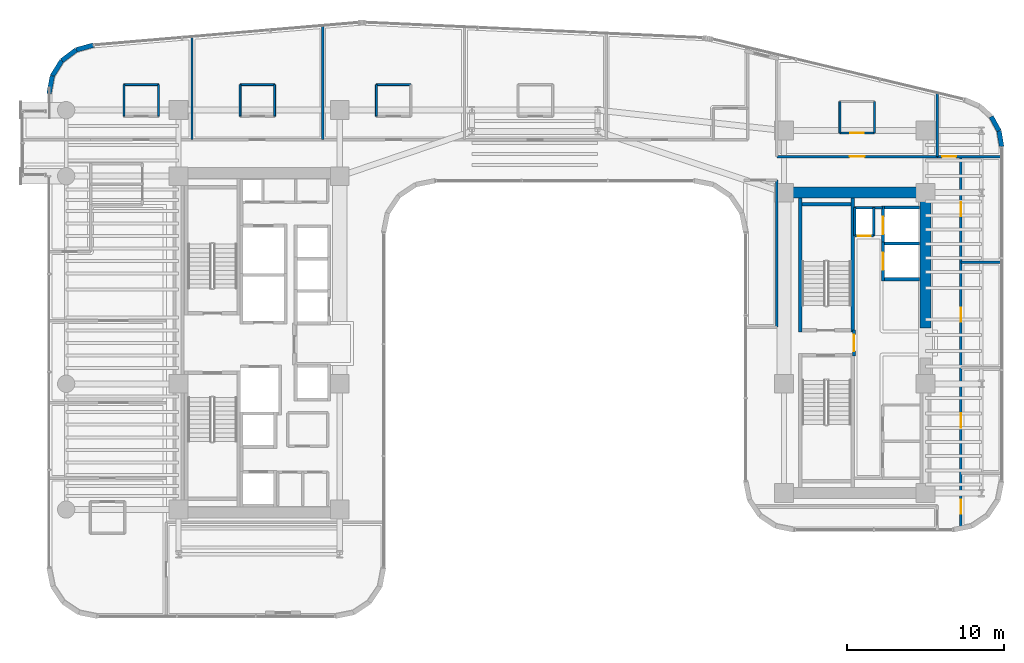
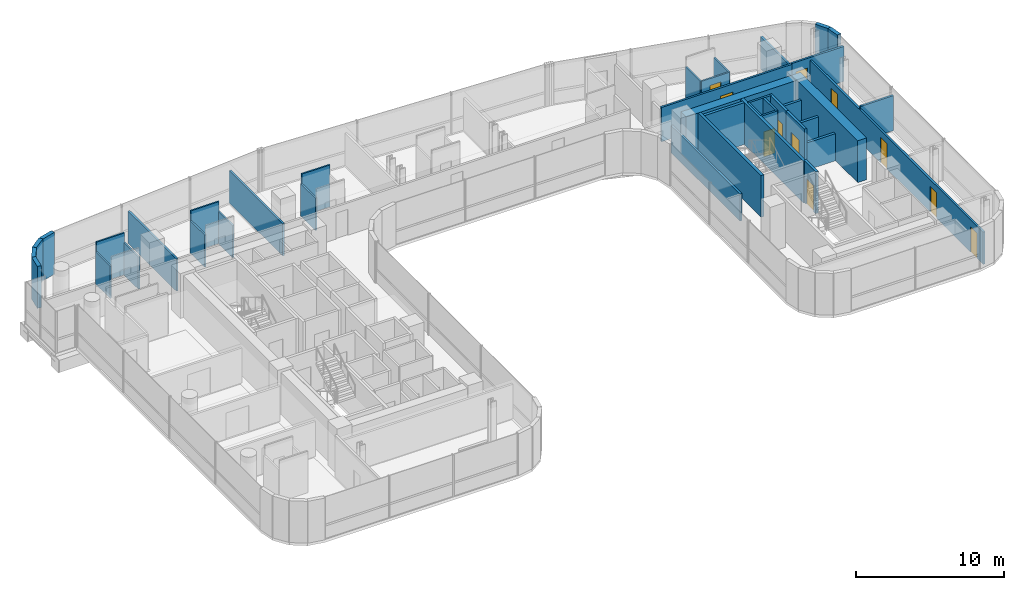
# One storey, part 30 of 35: 40 walls, 11 doors, 11 openings.
"""IFC4 building model written with IfcOpenShell, lengths in metres."""

from ifc_helpers import new_model, si_unit, direction, frame, frame_2d, origin, place, context, subcontext, project, spatial, rectangle, extrude, material, layer, layer_set, type_object, element, fill, save


model = new_model("IFC4")

# Units and contexts
model_context = context("Model", 3, precision=1e-05, world=origin(), true_north=direction((0.0, 1.0)))
body_context = subcontext(model_context, "Body", "Model", "MODEL_VIEW")
ifc_project = project(units=[si_unit("LENGTHUNIT", "METRE"), si_unit("AREAUNIT", "SQUARE_METRE"), si_unit("VOLUMEUNIT", "CUBIC_METRE"), si_unit("PLANEANGLEUNIT", "RADIAN"), si_unit("MASSUNIT", "GRAM", prefix="KILO")], contexts=[model_context])

# Site, building, storey
site_placement = place(None, origin())
site = spatial("IfcSite", under=ifc_project, at=site_placement, CompositionType="ELEMENT")
building_placement = place(site_placement, origin())
building = spatial("IfcBuilding", under=site, at=building_placement, Name="Valdorenza Pilgrim Sanctuary Tower", CompositionType="ELEMENT")
storey_placement = place(building_placement, frame((0.0, 0.0, 116.800048828125)))
storey = spatial("IfcBuildingStorey", under=building, at=storey_placement, Name="L29", CompositionType="ELEMENT", Elevation=116.800048828125)

# Wall, opening, door
ifc_material_1 = material(Name="Acoustic twin-stud gypsum partition", Category="gypsum")
ifc_layer_1 = layer(ifc_material_1, 0.159912109375, Name="Acoustic twin-stud gypsum partition")
ifc_layer_set_1 = layer_set([ifc_layer_1], Name="Acoustic twin-stud gypsum partition")
wall_type_1 = type_object("IfcWallType", Name="WAL-COR-160", PredefinedType="PARTITIONING", material=ifc_layer_set_1)
wall_1_placement = place(storey_placement, frame((20.35009765625, 6.800048828125, 0.0), z_axis=(0.0, 0.0, 1.0), x_axis=(1.0, 0.0, 0.0)))
wall_1 = element("IfcWall", 1, at=wall_1_placement, inside=storey, type_object=wall_type_1, Name="L29 Core B Riser South Wall", PredefinedType="PARTITIONING", context=body_context, shape_type="SweptSolid", body=[
    extrude(rectangle(XDim=1.199951171875, YDim=0.159912109375, at=frame_2d((0.60009765625, 0.0))), origin(), (0.0, 0.0, 1.0), 3.4599609375),
])
opening_1_placement = place(wall_1_placement, frame((0.175048828125, 0.0, 0.0)))
opening_1 = element("IfcOpeningElement", 2, at=opening_1_placement, cuts=wall_1, Name="Opening DR-RS1", PredefinedType="OPENING", context=body_context, shape_type="SweptSolid", body=[
    extrude(rectangle(XDim=0.85009765625, YDim=2.050048828125, at=frame_2d((0.425048828125, 1.02490234375))), frame((0.0, 0.0947265625, 0.0), z_axis=(0.0, -1.0, 0.0), x_axis=(1.0, 0.0, 0.0)), (0.0, 0.0, 1.0), 0.189697265625),
])
ifc_material_2 = material(Name="Painted galvanized steel", Category="steel")
door_type_1 = type_object("IfcDoorType", Name="DR-RSR-850", OperationType="NOTDEFINED", PredefinedType="DOOR", material=ifc_material_2)
door_1_placement = place(opening_1_placement, origin())
door_1 = element("IfcDoor", 3, at=door_1_placement, inside=storey, type_object=door_type_1, Name="L29 Core B Electrical Riser Door", OperationType="SINGLE_SWING_RIGHT", OverallHeight=2.050048828125, OverallWidth=0.85009765625, PredefinedType="DOOR", context=body_context, shape_type="SweptSolid", body=[
    extrude(rectangle(XDim=0.85009765625, YDim=2.050048828125, at=frame_2d((0.425048828125, 1.02490234375))), frame((0.0, 0.02490234375, 0.0), z_axis=(0.0, -1.0, 0.0), x_axis=(1.0, 0.0, 0.0)), (0.0, 0.0, 1.0), 0.050048828125),
])
fill(opening_1, door_1)

# Walls
for number, where, z_axis, x_axis, name in (
    (4, (21.550048828125, 6.800048828125, 0.0), (0.0, 0.0, 1.0), (0.0, 1.0, 0.0), "L29 Core B Riser East Wall"),
    (5, (20.35009765625, 6.800048828125, 0.0), (0.0, 0.0, 1.0), (0.0, 1.0, 0.0), "L29 Core B Riser West Wall"),
):
    element("IfcWall", number, at=place(storey_placement, frame(where, z_axis=z_axis, x_axis=x_axis)), inside=storey, type_object=wall_type_1, Name=name, PredefinedType="PARTITIONING", context=body_context, shape_type="SweptSolid", body=[
        extrude(rectangle(XDim=1.800048828125, YDim=0.159912109375, at=frame_2d((0.89990234375, 0.0))), origin(), (0.0, 0.0, 1.0), 3.4599609375),
    ])
wall_2_placement = place(storey_placement, frame((20.300048828125, 8.60009765625, 0.0), z_axis=(0.0, 0.0, 1.0), x_axis=(1.0, 0.0, 0.0)))
element("IfcWall", 6, at=wall_2_placement, inside=storey, type_object=wall_type_1, Name="L29 Core B Lift Hall North End Wall", PredefinedType="PARTITIONING", context=body_context, shape_type="SweptSolid", body=[
    extrude(rectangle(XDim=1.820068359375, YDim=0.159912109375, at=frame_2d((0.91015625, 0.0))), origin(), (0.0, 0.0, 1.0), 3.4599609375),
])

# Wall, opening, door
wall_3_placement = place(storey_placement, frame((15.39990234375, 11.85009765625, 0.0), z_axis=(0.0, 0.0, 1.0), x_axis=(1.0, 0.0, 0.0)))
wall_3 = element("IfcWall", 7, at=wall_3_placement, inside=storey, type_object=wall_type_1, Name="L29 Wing B North Corridor Wall", PredefinedType="PARTITIONING", context=body_context, shape_type="SweptSolid", body=[
    extrude(rectangle(XDim=10.2001953125, YDim=0.159912109375, at=frame_2d((5.10009765625, 0.0))), origin(), (0.0, 0.0, 1.0), 2.833984375),
])
opening_2_placement = place(wall_3_placement, frame((4.625, 0.0, 0.0)))
opening_2 = element("IfcOpeningElement", 8, at=opening_2_placement, cuts=wall_3, Name="Opening DR-UN1", PredefinedType="OPENING", context=body_context, shape_type="SweptSolid", body=[
    extrude(rectangle(XDim=0.949951171875, YDim=2.14990234375, at=frame_2d((0.47509765625, 1.074951171875))), frame((0.0, 0.0947265625, 0.0), z_axis=(0.0, -1.0, 0.0), x_axis=(1.0, 0.0, 0.0)), (0.0, 0.0, 1.0), 0.189697265625),
])
ifc_material_3 = material(Name="Solid-core European oak timber", Category="wood")
door_type_2 = type_object("IfcDoorType", Name="DR-UNIT-950", OperationType="NOTDEFINED", PredefinedType="DOOR", material=ifc_material_3)
door_2_placement = place(opening_2_placement, frame((0.949951171875, 0.0, 0.0), z_axis=(0.0, 0.0, 1.0), x_axis=(-1.0, 0.0, 0.0)))
door_2 = element("IfcDoor", 9, at=door_2_placement, inside=storey, type_object=door_type_2, Name="L29 East North Guest Room L29-EN1 Entrance Door", OperationType="SINGLE_SWING_LEFT", OverallHeight=2.14990234375, OverallWidth=0.949951171875, PredefinedType="DOOR", context=body_context, shape_type="SweptSolid", body=[
    extrude(rectangle(XDim=0.949951171875, YDim=2.14990234375, at=frame_2d((0.47509765625, 1.074951171875))), frame((0.0, 0.02490234375, 0.0), z_axis=(0.0, -1.0, 0.0), x_axis=(1.0, 0.0, 0.0)), (0.0, 0.0, 1.0), 0.050048828125),
])
fill(opening_2, door_2)

# Wall
wall_4_placement = place(storey_placement, frame((25.60009765625, 11.85009765625, 0.0), z_axis=(0.0, 0.0, 1.0), x_axis=(0.0, 1.0, 0.0)))
element("IfcWall", 10, at=wall_4_placement, inside=storey, type_object=wall_type_1, Name="L29 Wing B North East Wall", PredefinedType="PARTITIONING", context=body_context, shape_type="SweptSolid", body=[
    extrude(rectangle(XDim=4.042236328125, YDim=0.159912109375, at=frame_2d((2.02099609375, 0.0))), origin(), (0.0, 0.0, 1.0), 2.666015625),
])

# Wall, openings, doors
wall_5_placement = place(storey_placement, frame((27.10009765625, -11.660888671875, 0.0), z_axis=(0.0, 0.0, 1.0), x_axis=(0.0, 1.0, 0.0)))
wall_5 = element("IfcWall", 11, at=wall_5_placement, inside=storey, type_object=wall_type_1, Name="L29 Wing B East Corridor Wall", PredefinedType="PARTITIONING", context=body_context, shape_type="SweptSolid", body=[
    extrude(rectangle(XDim=23.510986328125, YDim=0.159912109375, at=frame_2d((11.75537109375, 0.0))), origin(), (0.0, 0.0, 1.0), 2.666015625),
])
opening_3_placement = place(wall_5_placement, frame((0.800048828125, 0.0, 0.0)))
opening_3 = element("IfcOpeningElement", 12, at=opening_3_placement, cuts=wall_5, Name="Opening DR-RM1", PredefinedType="OPENING", context=body_context, shape_type="SweptSolid", body=[
    extrude(rectangle(XDim=0.89990234375, YDim=2.10009765625, at=frame_2d((0.449951171875, 1.050048828125))), frame((0.0, 0.0947265625, 0.0), z_axis=(0.0, -1.0, 0.0), x_axis=(1.0, 0.0, 0.0)), (0.0, 0.0, 1.0), 0.189697265625),
])
opening_4_placement = place(wall_5_placement, frame((6.280029296875, 0.0, 0.0)))
opening_4 = element("IfcOpeningElement", 13, at=opening_4_placement, cuts=wall_5, Name="Opening DR-RM1", PredefinedType="OPENING", context=body_context, shape_type="SweptSolid", body=[
    extrude(rectangle(XDim=0.89990234375, YDim=2.10009765625, at=frame_2d((0.449951171875, 1.050048828125))), frame((0.0, 0.0947265625, 0.0), z_axis=(0.0, -1.0, 0.0), x_axis=(1.0, 0.0, 0.0)), (0.0, 0.0, 1.0), 0.189697265625),
])
opening_5_placement = place(wall_5_placement, frame((12.991943359375, 0.0, 0.0)))
opening_5 = element("IfcOpeningElement", 14, at=opening_5_placement, cuts=wall_5, Name="Opening DR-RM1", PredefinedType="OPENING", context=body_context, shape_type="SweptSolid", body=[
    extrude(rectangle(XDim=0.89990234375, YDim=2.10009765625, at=frame_2d((0.449951171875, 1.050048828125))), frame((0.0, 0.0947265625, 0.0), z_axis=(0.0, -1.0, 0.0), x_axis=(1.0, 0.0, 0.0)), (0.0, 0.0, 1.0), 0.189697265625),
])
opening_6_placement = place(wall_5_placement, frame((19.705078125, 0.0, 0.0)))
opening_6 = element("IfcOpeningElement", 15, at=opening_6_placement, cuts=wall_5, Name="Opening DR-RM1", PredefinedType="OPENING", context=body_context, shape_type="SweptSolid", body=[
    extrude(rectangle(XDim=0.89990234375, YDim=2.10009765625, at=frame_2d((0.449951171875, 1.050048828125))), frame((0.0, 0.0947265625, 0.0), z_axis=(0.0, -1.0, 0.0), x_axis=(1.0, 0.0, 0.0)), (0.0, 0.0, 1.0), 0.189697265625),
])
door_type_3 = type_object("IfcDoorType", Name="DR-ROOM-900", OperationType="NOTDEFINED", PredefinedType="DOOR", material=ifc_material_3)
door_3_placement = place(opening_3_placement, frame((0.89990234375, 0.0, 0.0), z_axis=(0.0, 0.0, 1.0), x_axis=(-1.0, 0.0, 0.0)))
door_3 = element("IfcDoor", 16, at=door_3_placement, inside=storey, type_object=door_type_3, Name="L29 East Sanctuary Scholar Office L29-EG1 Door", OperationType="SINGLE_SWING_LEFT", OverallHeight=2.10009765625, OverallWidth=0.89990234375, PredefinedType="DOOR", context=body_context, shape_type="SweptSolid", body=[
    extrude(rectangle(XDim=0.89990234375, YDim=2.10009765625, at=frame_2d((0.449951171875, 1.050048828125))), frame((0.0, 0.02490234375, 0.0), z_axis=(0.0, -1.0, 0.0), x_axis=(1.0, 0.0, 0.0)), (0.0, 0.0, 1.0), 0.050048828125),
])
fill(opening_3, door_3)
door_4_placement = place(opening_4_placement, origin())
door_4 = element("IfcDoor", 17, at=door_4_placement, inside=storey, type_object=door_type_3, Name="L29 East Sanctuary Scholar Office L29-EG2 Door", OperationType="SINGLE_SWING_RIGHT", OverallHeight=2.10009765625, OverallWidth=0.89990234375, PredefinedType="DOOR", context=body_context, shape_type="SweptSolid", body=[
    extrude(rectangle(XDim=0.89990234375, YDim=2.10009765625, at=frame_2d((0.449951171875, 1.050048828125))), frame((0.0, 0.02490234375, 0.0), z_axis=(0.0, -1.0, 0.0), x_axis=(1.0, 0.0, 0.0)), (0.0, 0.0, 1.0), 0.050048828125),
])
fill(opening_4, door_4)
door_5_placement = place(opening_5_placement, frame((0.89990234375, 0.0, 0.0), z_axis=(0.0, 0.0, 1.0), x_axis=(-1.0, 0.0, 0.0)))
door_5 = element("IfcDoor", 18, at=door_5_placement, inside=storey, type_object=door_type_3, Name="L29 East Sanctuary Scholar Office L29-EG3 Door", OperationType="SINGLE_SWING_LEFT", OverallHeight=2.10009765625, OverallWidth=0.89990234375, PredefinedType="DOOR", context=body_context, shape_type="SweptSolid", body=[
    extrude(rectangle(XDim=0.89990234375, YDim=2.10009765625, at=frame_2d((0.449951171875, 1.050048828125))), frame((0.0, 0.02490234375, 0.0), z_axis=(0.0, -1.0, 0.0), x_axis=(1.0, 0.0, 0.0)), (0.0, 0.0, 1.0), 0.050048828125),
])
fill(opening_5, door_5)
door_6_placement = place(opening_6_placement, origin())
door_6 = element("IfcDoor", 19, at=door_6_placement, inside=storey, type_object=door_type_3, Name="L29 East Sanctuary Scholar Office L29-EG4 Door", OperationType="SINGLE_SWING_RIGHT", OverallHeight=2.10009765625, OverallWidth=0.89990234375, PredefinedType="DOOR", context=body_context, shape_type="SweptSolid", body=[
    extrude(rectangle(XDim=0.89990234375, YDim=2.10009765625, at=frame_2d((0.449951171875, 1.050048828125))), frame((0.0, 0.02490234375, 0.0), z_axis=(0.0, -1.0, 0.0), x_axis=(1.0, 0.0, 0.0)), (0.0, 0.0, 1.0), 0.050048828125),
])
fill(opening_6, door_6)

# Wall, opening, door
wall_6_placement = place(storey_placement, frame((25.60009765625, 11.85009765625, 0.0), z_axis=(0.0, 0.0, 1.0), x_axis=(1.0, 0.0, 0.0)))
wall_6 = element("IfcWall", 20, at=wall_6_placement, inside=storey, type_object=wall_type_1, Name="L29 East Wing NE Corner South Wall", PredefinedType="PARTITIONING", context=body_context, shape_type="SweptSolid", body=[
    extrude(rectangle(XDim=4.08984375, YDim=0.159912109375, at=frame_2d((2.044921875, 0.0))), origin(), (0.0, 0.0, 1.0), 2.89599609375),
])
opening_7_placement = place(wall_6_placement, frame((0.300048828125, 0.0, 0.0)))
opening_7 = element("IfcOpeningElement", 21, at=opening_7_placement, cuts=wall_6, Name="Opening DR-RM1", PredefinedType="OPENING", context=body_context, shape_type="SweptSolid", body=[
    extrude(rectangle(XDim=0.89990234375, YDim=2.10009765625, at=frame_2d((0.449951171875, 1.050048828125))), frame((0.0, 0.0947265625, 0.0), z_axis=(0.0, -1.0, 0.0), x_axis=(1.0, 0.0, 0.0)), (0.0, 0.0, 1.0), 0.189697265625),
])
door_7_placement = place(opening_7_placement, origin())
door_7 = element("IfcDoor", 22, at=door_7_placement, inside=storey, type_object=door_type_3, Name="L29 East North Alcove Office L29 Door", OperationType="SINGLE_SWING_RIGHT", OverallHeight=2.10009765625, OverallWidth=0.89990234375, PredefinedType="DOOR", context=body_context, shape_type="SweptSolid", body=[
    extrude(rectangle(XDim=0.89990234375, YDim=2.10009765625, at=frame_2d((0.449951171875, 1.050048828125))), frame((0.0, 0.02490234375, 0.0), z_axis=(0.0, -1.0, 0.0), x_axis=(1.0, 0.0, 0.0)), (0.0, 0.0, 1.0), 0.050048828125),
])
fill(opening_7, door_7)

# Walls
wall_7_placement = place(storey_placement, frame((15.39990234375, 1.0, 0.0), z_axis=(0.0, 0.0, 1.0), x_axis=(0.0, 1.0, 0.0)))
element("IfcWall", 23, at=wall_7_placement, inside=storey, type_object=wall_type_1, Name="L29 Courtyard Overlook East Wall", PredefinedType="PARTITIONING", context=body_context, shape_type="SweptSolid", body=[
    extrude(rectangle(XDim=9.35009765625, YDim=0.159912109375, at=frame_2d((4.675048828125, 0.0))), origin(), (0.0, 0.0, 1.0), 2.244873046875),
])
ifc_material_4 = material(Name="Concrete C60/75", Category="concrete")
ifc_layer_2 = layer(ifc_material_4, 0.699951171875, Name="Concrete C60/75")
ifc_layer_set_2 = layer_set([ifc_layer_2], Name="Concrete C60/75")
wall_type_2 = type_object("IfcWallType", Name="WAL-COR-700", PredefinedType="SHEAR", material=ifc_layer_set_2)
wall_8_placement = place(storey_placement, frame((24.85009765625, 0.949951171875, 0.0), z_axis=(0.0, 0.0, 1.0), x_axis=(0.0, 1.0, 0.0)))
element("IfcWall", 24, at=wall_8_placement, inside=storey, type_object=wall_type_2, Name="L29 Split Core B Shear Wall EN", PredefinedType="SHEAR", context=body_context, shape_type="SweptSolid", body=[
    extrude(rectangle(XDim=8.949951171875, YDim=0.699951171875, at=frame_2d((4.47509765625, 0.0))), origin(), (0.0, 0.0, 1.0), 3.4599609375),
])
wall_9_placement = place(storey_placement, frame((15.85009765625, 9.550048828125, 0.0), z_axis=(0.0, 0.0, 1.0), x_axis=(1.0, 0.0, 0.0)))
element("IfcWall", 25, at=wall_9_placement, inside=storey, type_object=wall_type_2, Name="L29 Split Core B Shear Wall N", PredefinedType="SHEAR", context=body_context, shape_type="SweptSolid", body=[
    extrude(rectangle(XDim=9.0, YDim=0.699951171875, at=frame_2d((4.5, 0.0))), origin(), (0.0, 0.0, 1.0), 3.4599609375),
])
ifc_material_5 = material(Name="Honed travertine limestone", Category="masonry")
ifc_layer_3 = layer(ifc_material_5, 0.300048828125, Name="Honed travertine limestone")
ifc_layer_set_3 = layer_set([ifc_layer_3], Name="Honed travertine limestone")
wall_type_3 = type_object("IfcWallType", Name="WAL-EXT-300", PredefinedType="SOLIDWALL", material=ifc_layer_set_3)
wall_10_placement = place(storey_placement, frame((-30.889892578125, 15.850341796875, 0.0), z_axis=(0.0, 0.0, 1.0), x_axis=(0.184557499391, 0.982821718023, 0.0)))
element("IfcWall", 26, at=wall_10_placement, inside=storey, type_object=wall_type_3, Name="L29 Rounded Wind-Corner Stone Pier 2", PredefinedType="SOLIDWALL", context=body_context, shape_type="SweptSolid", body=[
    extrude(rectangle(XDim=1.15087890625, YDim=0.300048828125, at=frame_2d((0.575439453125, 0.0))), origin(), (0.0, 0.0, 1.0), 3.4599609375),
])
wall_11_placement = place(storey_placement, frame((-30.677490234375, 16.9814453125, 0.0), z_axis=(0.0, 0.0, 1.0), x_axis=(0.52880576008, 0.848742875143, 0.0)))
element("IfcWall", 27, at=wall_11_placement, inside=storey, type_object=wall_type_3, Name="L29 Rounded Wind-Corner Stone Pier 3", PredefinedType="SOLIDWALL", context=body_context, shape_type="SweptSolid", body=[
    extrude(rectangle(XDim=1.140869140625, YDim=0.300048828125, at=frame_2d((0.5703125, 0.0))), origin(), (0.0, 0.0, 1.0), 3.4599609375),
])
wall_12_placement = place(storey_placement, frame((-30.07421875, 17.94970703125, 0.0), z_axis=(0.0, 0.0, 1.0), x_axis=(0.800975009324, 0.598697782223, 0.0)))
element("IfcWall", 28, at=wall_12_placement, inside=storey, type_object=wall_type_3, Name="L29 Rounded Wind-Corner Stone Pier 4", PredefinedType="SOLIDWALL", context=body_context, shape_type="SweptSolid", body=[
    extrude(rectangle(XDim=1.140625, YDim=0.300048828125, at=frame_2d((0.5703125, 0.0))), origin(), (0.0, 0.0, 1.0), 3.4599609375),
])
wall_13_placement = place(storey_placement, frame((-29.16064453125, 18.632568359375, 0.0), z_axis=(0.0, 0.0, 1.0), x_axis=(0.963624193367, 0.267260947313, 0.0)))
element("IfcWall", 29, at=wall_13_placement, inside=storey, type_object=wall_type_3, Name="L29 Rounded Wind-Corner Stone Pier 5", PredefinedType="SOLIDWALL", context=body_context, shape_type="SweptSolid", body=[
    extrude(rectangle(XDim=1.15087890625, YDim=0.300048828125, at=frame_2d((0.575439453125, 0.0))), origin(), (0.0, 0.0, 1.0), 3.4599609375),
])
wall_14_placement = place(storey_placement, frame((29.024658203125, 14.388427734375, 0.0), z_axis=(0.0, 0.0, 1.0), x_axis=(0.480284137298, -0.87711296163, 0.0)))
element("IfcWall", 30, at=wall_14_placement, inside=storey, type_object=wall_type_3, Name="L29 Rounded Wind-Corner Stone Pier 19", PredefinedType="SOLIDWALL", context=body_context, shape_type="SweptSolid", body=[
    extrude(rectangle(XDim=1.02685546875, YDim=0.300048828125, at=frame_2d((0.513427734375, 0.0))), origin(), (0.0, 0.0, 1.0), 3.4599609375),
])
wall_15_placement = place(storey_placement, frame((29.517822265625, 13.48779296875, 0.0), z_axis=(0.0, 0.0, 1.0), x_axis=(0.166156796952, -0.986099345313, 0.0)))
element("IfcWall", 31, at=wall_15_placement, inside=storey, type_object=wall_type_3, Name="L29 Rounded Wind-Corner Stone Pier 20", PredefinedType="SOLIDWALL", context=body_context, shape_type="SweptSolid", body=[
    extrude(rectangle(XDim=1.035888671875, YDim=0.300048828125, at=frame_2d((0.51806640625, 0.0))), origin(), (0.0, 0.0, 1.0), 3.4599609375),
])

# Wall, opening, door
ifc_material_6 = material(Name="Gypsum shaftwall partition", Category="gypsum")
ifc_layer_4 = layer(ifc_material_6, 0.199951171875, Name="Gypsum shaftwall partition")
ifc_layer_set_4 = layer_set([ifc_layer_4], Name="Gypsum shaftwall partition")
wall_type_4 = type_object("IfcWallType", Name="WAL-FFL-200", PredefinedType="PARTITIONING", material=ifc_layer_set_4)
wall_16_placement = place(storey_placement, frame((20.300048828125, -0.820068359375, 0.0), z_axis=(0.0, 0.0, 1.0), x_axis=(0.0, 1.0, 0.0)))
wall_16 = element("IfcWall", 32, at=wall_16_placement, inside=storey, type_object=wall_type_4, Name="L29 Core B Firefighting Lobby East Wall", PredefinedType="PARTITIONING", context=body_context, shape_type="SweptSolid", body=[
    extrude(rectangle(XDim=1.64013671875, YDim=0.199951171875, at=frame_2d((0.820068359375, 0.0))), origin(), (0.0, 0.0, 1.0), 3.4599609375),
])
opening_8_placement = place(wall_16_placement, frame((0.294921875, 0.0, 0.0)))
opening_8 = element("IfcOpeningElement", 33, at=opening_8_placement, cuts=wall_16, Name="Opening DR-FL1", PredefinedType="OPENING", context=body_context, shape_type="SweptSolid", body=[
    extrude(rectangle(XDim=1.050048828125, YDim=2.14990234375, at=frame_2d((0.52490234375, 1.074951171875))), frame((0.0, 0.11474609375, 0.0), z_axis=(0.0, -1.0, 0.0), x_axis=(1.0, 0.0, 0.0)), (0.0, 0.0, 1.0), 0.229736328125),
])
door_type_4 = type_object("IfcDoorType", Name="DR-FFL-1050", OperationType="NOTDEFINED", PredefinedType="DOOR", material=ifc_material_2)
door_8_placement = place(opening_8_placement, frame((1.050048828125, 0.0, 0.0), z_axis=(0.0, 0.0, 1.0), x_axis=(-1.0, 0.0, 0.0)))
door_8 = element("IfcDoor", 34, at=door_8_placement, inside=storey, type_object=door_type_4, Name="L29 Core B Firefighting Lobby Door", OperationType="SINGLE_SWING_LEFT", OverallHeight=2.14990234375, OverallWidth=1.050048828125, PredefinedType="DOOR", context=body_context, shape_type="SweptSolid", body=[
    extrude(rectangle(XDim=1.050048828125, YDim=2.14990234375, at=frame_2d((0.52490234375, 1.074951171875))), frame((0.0, 0.02490234375, 0.0), z_axis=(0.0, -1.0, 0.0), x_axis=(1.0, 0.0, 0.0)), (0.0, 0.0, 1.0), 0.050048828125),
])
fill(opening_8, door_8)

# Walls
ifc_material_7 = material(Name="Moisture-resistant gypsum partition", Category="gypsum")
ifc_layer_5 = layer(ifc_material_7, 0.1201171875, Name="Moisture-resistant gypsum partition")
ifc_layer_set_5 = layer_set([ifc_layer_5], Name="Moisture-resistant gypsum partition")
wall_type_5 = type_object("IfcWallType", Name="WAL-INT-120", PredefinedType="PARTITIONING", material=ifc_layer_set_5)
for number, where, z_axis, x_axis, name in (
    (35, (-26.125, 14.419921875, 0.0), (0.0, 0.0, 1.0), (0.0, 1.0, 0.0), "L29 North Guest Room L29-N1 En-suite West Wall"),
    (36, (-23.925048828125, 14.419921875, 0.0), (0.0, 0.0, 1.0), (0.0, 1.0, 0.0), "L29 North Guest Room L29-N1 En-suite East Wall"),
):
    element("IfcWall", number, at=place(storey_placement, frame(where, z_axis=z_axis, x_axis=x_axis)), inside=storey, type_object=wall_type_5, Name=name, PredefinedType="PARTITIONING", context=body_context, shape_type="SweptSolid", body=[
        extrude(rectangle(XDim=2.0, YDim=0.1201171875, at=frame_2d((1.0, 0.0))), origin(), (0.0, 0.0, 1.0), 2.666015625),
    ])
wall_17_placement = place(storey_placement, frame((-26.125, 16.419921875, 0.0), z_axis=(0.0, 0.0, 1.0), x_axis=(1.0, 0.0, 0.0)))
element("IfcWall", 37, at=wall_17_placement, inside=storey, type_object=wall_type_5, Name="L29 North Guest Room L29-N1 En-suite Back Wall", PredefinedType="PARTITIONING", context=body_context, shape_type="SweptSolid", body=[
    extrude(rectangle(XDim=2.199951171875, YDim=0.1201171875, at=frame_2d((1.10009765625, 0.0))), origin(), (0.0, 0.0, 1.0), 3.4599609375),
])
for number, where, z_axis, x_axis, name in (
    (38, (-18.739990234375, 14.419921875, 0.0), (0.0, 0.0, 1.0), (0.0, 1.0, 0.0), "L29 North Guest Room L29-N2 En-suite West Wall"),
    (39, (-16.5400390625, 14.419921875, 0.0), (0.0, 0.0, 1.0), (0.0, 1.0, 0.0), "L29 North Guest Room L29-N2 En-suite East Wall"),
):
    element("IfcWall", number, at=place(storey_placement, frame(where, z_axis=z_axis, x_axis=x_axis)), inside=storey, type_object=wall_type_5, Name=name, PredefinedType="PARTITIONING", context=body_context, shape_type="SweptSolid", body=[
        extrude(rectangle(XDim=2.0, YDim=0.1201171875, at=frame_2d((1.0, 0.0))), origin(), (0.0, 0.0, 1.0), 2.666015625),
    ])
wall_18_placement = place(storey_placement, frame((-18.739990234375, 16.419921875, 0.0), z_axis=(0.0, 0.0, 1.0), x_axis=(1.0, 0.0, 0.0)))
element("IfcWall", 40, at=wall_18_placement, inside=storey, type_object=wall_type_5, Name="L29 North Guest Room L29-N2 En-suite Back Wall", PredefinedType="PARTITIONING", context=body_context, shape_type="SweptSolid", body=[
    extrude(rectangle(XDim=2.199951171875, YDim=0.1201171875, at=frame_2d((1.10009765625, 0.0))), origin(), (0.0, 0.0, 1.0), 3.4599609375),
])
wall_19_placement = place(storey_placement, frame((-10.074951171875, 14.419921875, 0.0), z_axis=(0.0, 0.0, 1.0), x_axis=(0.0, 1.0, 0.0)))
element("IfcWall", 41, at=wall_19_placement, inside=storey, type_object=wall_type_5, Name="L29 North Guest Room L29-N3 En-suite West Wall", PredefinedType="PARTITIONING", context=body_context, shape_type="SweptSolid", body=[
    extrude(rectangle(XDim=2.0, YDim=0.1201171875, at=frame_2d((1.0, 0.0))), origin(), (0.0, 0.0, 1.0), 2.666015625),
])
wall_20_placement = place(storey_placement, frame((-10.074951171875, 16.419921875, 0.0), z_axis=(0.0, 0.0, 1.0), x_axis=(1.0, 0.0, 0.0)))
element("IfcWall", 42, at=wall_20_placement, inside=storey, type_object=wall_type_5, Name="L29 North Guest Room L29-N3 En-suite Back Wall", PredefinedType="PARTITIONING", context=body_context, shape_type="SweptSolid", body=[
    extrude(rectangle(XDim=2.199951171875, YDim=0.1201171875, at=frame_2d((1.10009765625, 0.0))), origin(), (0.0, 0.0, 1.0), 3.4599609375),
])
for number, where, z_axis, x_axis, name in (
    (43, (19.39990234375, 13.35009765625, 0.0), (0.0, 0.0, 1.0), (0.0, 1.0, 0.0), "L29 East North Guest Room L29-EN1 En-suite West Wall"),
    (44, (21.60009765625, 13.35009765625, 0.0), (0.0, 0.0, 1.0), (0.0, 1.0, 0.0), "L29 East North Guest Room L29-EN1 En-suite East Wall"),
):
    element("IfcWall", number, at=place(storey_placement, frame(where, z_axis=z_axis, x_axis=x_axis)), inside=storey, type_object=wall_type_5, Name=name, PredefinedType="PARTITIONING", context=body_context, shape_type="SweptSolid", body=[
        extrude(rectangle(XDim=2.0, YDim=0.1201171875, at=frame_2d((1.0, 0.0))), origin(), (0.0, 0.0, 1.0), 2.666015625),
    ])

# Wall, opening, door
wall_21_placement = place(storey_placement, frame((19.39990234375, 13.35009765625, 0.0), z_axis=(0.0, 0.0, 1.0), x_axis=(1.0, 0.0, 0.0)))
wall_21 = element("IfcWall", 45, at=wall_21_placement, inside=storey, type_object=wall_type_5, Name="L29 East North Guest Room L29-EN1 En-suite Door Wall", PredefinedType="PARTITIONING", context=body_context, shape_type="SweptSolid", body=[
    extrude(rectangle(XDim=2.2001953125, YDim=0.1201171875, at=frame_2d((1.10009765625, 0.0))), origin(), (0.0, 0.0, 1.0), 2.666015625),
])
opening_9_placement = place(wall_21_placement, frame((0.675048828125, 0.0, 0.0)))
opening_9 = element("IfcOpeningElement", 46, at=opening_9_placement, cuts=wall_21, Name="Opening DR-WC1", PredefinedType="OPENING", context=body_context, shape_type="SweptSolid", body=[
    extrude(rectangle(XDim=0.85009765625, YDim=2.10009765625, at=frame_2d((0.425048828125, 1.050048828125))), frame((0.0, 0.074951171875, 0.0), z_axis=(0.0, -1.0, 0.0), x_axis=(1.0, 0.0, 0.0)), (0.0, 0.0, 1.0), 0.14990234375),
])
ifc_material_8 = material(Name="Moisture-resistant lacquered timber", Category="wood")
door_type_5 = type_object("IfcDoorType", Name="DR-BATH-850", OperationType="NOTDEFINED", PredefinedType="DOOR", material=ifc_material_8)
door_9_placement = place(opening_9_placement, origin())
door_9 = element("IfcDoor", 47, at=door_9_placement, inside=storey, type_object=door_type_5, Name="L29 East North Guest Room L29-EN1 En-suite Bathroom Door", OperationType="SINGLE_SWING_RIGHT", OverallHeight=2.10009765625, OverallWidth=0.85009765625, PredefinedType="DOOR", context=body_context, shape_type="SweptSolid", body=[
    extrude(rectangle(XDim=0.85009765625, YDim=2.10009765625, at=frame_2d((0.425048828125, 1.050048828125))), frame((0.0, 0.02490234375, 0.0), z_axis=(0.0, -1.0, 0.0), x_axis=(1.0, 0.0, 0.0)), (0.0, 0.0, 1.0), 0.050048828125),
])
fill(opening_9, door_9)

ifc_material_9 = material(Name="Autoclaved aerated concrete blockwork", Category="masonry")
ifc_layer_6 = layer(ifc_material_9, 0.199951171875, Name="Autoclaved aerated concrete blockwork")
ifc_layer_set_6 = layer_set([ifc_layer_6], Name="Autoclaved aerated concrete blockwork")
wall_type_6 = type_object("IfcWallType", Name="WAL-SHF-200", PredefinedType="MOVABLE", material=ifc_layer_set_6)
wall_22_placement = place(storey_placement, frame((22.14990234375, 3.949951171875, 0.0), z_axis=(0.0, 0.0, 1.0), x_axis=(0.0, 1.0, 0.0)))
wall_22 = element("IfcWall", 48, at=wall_22_placement, inside=storey, type_object=wall_type_6, Name="L29 Lift PL-07 Hoistway Wall West", PredefinedType="MOVABLE", context=body_context, shape_type="SweptSolid", body=[
    extrude(rectangle(XDim=2.47509765625, YDim=0.199951171875, at=frame_2d((1.237548828125, 0.0))), origin(), (0.0, 0.0, 1.0), 3.4599609375),
])
opening_10_placement = place(wall_22_placement, frame((0.6875, 0.0, 0.0)))
opening_10 = element("IfcOpeningElement", 49, at=opening_10_placement, cuts=wall_22, Name="Opening LD-01", PredefinedType="OPENING", context=body_context, shape_type="SweptSolid", body=[
    extrude(rectangle(XDim=1.10009765625, YDim=2.10009765625, at=frame_2d((0.550048828125, 1.050048828125))), frame((0.0, 0.11474609375, 0.0), z_axis=(0.0, -1.0, 0.0), x_axis=(1.0, 0.0, 0.0)), (0.0, 0.0, 1.0), 0.229736328125),
])
ifc_material_10 = material(Name="Brushed stainless steel Grade 316", Category="steel")
door_type_6 = type_object("IfcDoorType", Name="DR-LFT-1100", OperationType="DOUBLE_DOOR_SLIDING", PredefinedType="DOOR", material=ifc_material_10)
door_10_placement = place(opening_10_placement, origin())
door_10 = element("IfcDoor", 50, at=door_10_placement, inside=storey, type_object=door_type_6, Name="L29 Lift PL-07 Sliding Landing Door", OperationType="DOUBLE_DOOR_SLIDING", OverallHeight=2.10009765625, OverallWidth=1.10009765625, PredefinedType="DOOR", context=body_context, shape_type="SweptSolid", body=[
    extrude(rectangle(XDim=1.10009765625, YDim=2.10009765625, at=frame_2d((0.550048828125, 1.050048828125))), frame((0.0, 0.02490234375, 0.0), z_axis=(0.0, -1.0, 0.0), x_axis=(1.0, 0.0, 0.0)), (0.0, 0.0, 1.0), 0.050048828125),
])
fill(opening_10, door_10)

# Walls
for number, where, z_axis, x_axis, name in (
    (51, (22.25, 4.050048828125, 0.0), (0.0, 0.0, 1.0), (1.0, 0.0, 0.0), "L29 Lift PL-07 Hoistway Wall South"),
    (52, (22.25, 6.324951171875, 0.0), (0.0, 0.0, 1.0), (1.0, 0.0, 0.0), "L29 Lift PL-07 Hoistway Wall North"),
):
    element("IfcWall", number, at=place(storey_placement, frame(where, z_axis=z_axis, x_axis=x_axis)), inside=storey, type_object=wall_type_6, Name=name, PredefinedType="MOVABLE", context=body_context, shape_type="SweptSolid", body=[
        extrude(rectangle(XDim=2.22998046875, YDim=0.199951171875, at=frame_2d((1.114990234375, 0.0))), origin(), (0.0, 0.0, 1.0), 2.244873046875),
    ])

# Wall, opening, door
wall_23_placement = place(storey_placement, frame((22.14990234375, 6.22509765625, 0.0), z_axis=(0.0, 0.0, 1.0), x_axis=(0.0, 1.0, 0.0)))
wall_23 = element("IfcWall", 53, at=wall_23_placement, inside=storey, type_object=wall_type_6, Name="L29 Lift PL-08 Hoistway Wall West", PredefinedType="MOVABLE", context=body_context, shape_type="SweptSolid", body=[
    extrude(rectangle(XDim=2.474853515625, YDim=0.199951171875, at=frame_2d((1.2373046875, 0.0))), origin(), (0.0, 0.0, 1.0), 3.4599609375),
])
opening_11_placement = place(wall_23_placement, frame((0.6875, 0.0, 0.0)))
opening_11 = element("IfcOpeningElement", 54, at=opening_11_placement, cuts=wall_23, Name="Opening LD-01", PredefinedType="OPENING", context=body_context, shape_type="SweptSolid", body=[
    extrude(rectangle(XDim=1.10009765625, YDim=2.10009765625, at=frame_2d((0.550048828125, 1.050048828125))), frame((0.0, 0.11474609375, 0.0), z_axis=(0.0, -1.0, 0.0), x_axis=(1.0, 0.0, 0.0)), (0.0, 0.0, 1.0), 0.229736328125),
])
door_11_placement = place(opening_11_placement, origin())
door_11 = element("IfcDoor", 55, at=door_11_placement, inside=storey, type_object=door_type_6, Name="L29 Lift PL-08 Sliding Landing Door", OperationType="DOUBLE_DOOR_SLIDING", OverallHeight=2.10009765625, OverallWidth=1.10009765625, PredefinedType="DOOR", context=body_context, shape_type="SweptSolid", body=[
    extrude(rectangle(XDim=1.10009765625, YDim=2.10009765625, at=frame_2d((0.550048828125, 1.050048828125))), frame((0.0, 0.02490234375, 0.0), z_axis=(0.0, -1.0, 0.0), x_axis=(1.0, 0.0, 0.0)), (0.0, 0.0, 1.0), 0.050048828125),
])
fill(opening_11, door_11)

# Walls
wall_24_placement = place(storey_placement, frame((22.25, 8.60009765625, 0.0), z_axis=(0.0, 0.0, 1.0), x_axis=(1.0, 0.0, 0.0)))
element("IfcWall", 56, at=wall_24_placement, inside=storey, type_object=wall_type_6, Name="L29 Lift PL-08 Hoistway Wall North", PredefinedType="MOVABLE", context=body_context, shape_type="SweptSolid", body=[
    extrude(rectangle(XDim=2.22998046875, YDim=0.199951171875, at=frame_2d((1.114990234375, 0.0))), origin(), (0.0, 0.0, 1.0), 2.244873046875),
])
ifc_material_11 = material(Name="Concrete C40/50", Category="concrete")
ifc_layer_7 = layer(ifc_material_11, 0.219970703125, Name="Concrete C40/50")
ifc_layer_set_7 = layer_set([ifc_layer_7], Name="Concrete C40/50")
wall_type_7 = type_object("IfcWallType", Name="WAL-STR-SHF-220", PredefinedType="SHEAR", material=ifc_layer_set_7)
for number, where, z_axis, x_axis, name in (
    (57, (16.889892578125, 0.679931640625, 0.0), (0.0, 0.0, 1.0), (0.0, 1.0, 0.0), "L29 ST-B1 Structural Stairwell Wall W"),
    (58, (20.219970703125, 0.679931640625, 0.0), (0.0, 0.0, 1.0), (0.0, 1.0, 0.0), "L29 ST-B1 Structural Stairwell Wall E"),
):
    element("IfcWall", number, at=place(storey_placement, frame(where, z_axis=z_axis, x_axis=x_axis)), inside=storey, type_object=wall_type_7, Name=name, PredefinedType="SHEAR", context=body_context, shape_type="SweptSolid", body=[
        extrude(rectangle(XDim=8.52001953125, YDim=0.219970703125, at=frame_2d((4.260009765625, 0.0))), origin(), (0.0, 0.0, 1.0), 3.4599609375),
    ])
wall_25_placement = place(storey_placement, frame((17.0, 8.81005859375, 0.0), z_axis=(0.0, 0.0, 1.0), x_axis=(1.0, 0.0, 0.0)))
element("IfcWall", 59, at=wall_25_placement, inside=storey, type_object=wall_type_7, Name="L29 ST-B1 Structural Stairwell Wall N", PredefinedType="SHEAR", context=body_context, shape_type="SweptSolid", body=[
    extrude(rectangle(XDim=3.110107421875, YDim=0.219970703125, at=frame_2d((1.55517578125, 0.0))), origin(), (0.0, 0.0, 1.0), 3.4599609375),
])
ifc_layer_8 = layer(ifc_material_1, 0.14990234375, Name="Acoustic twin-stud gypsum partition")
ifc_layer_set_8 = layer_set([ifc_layer_8], Name="Acoustic twin-stud gypsum partition")
wall_type_8 = type_object("IfcWallType", Name="WAL-UNT-150", PredefinedType="PARTITIONING", material=ifc_layer_set_8)
wall_26_placement = place(storey_placement, frame((-21.800048828125, 12.919921875, 0.0), z_axis=(0.0, 0.0, 1.0), x_axis=(0.0, 1.0, 0.0)))
element("IfcWall", 60, at=wall_26_placement, inside=storey, type_object=wall_type_8, Name="L29 North Demising 1", PredefinedType="PARTITIONING", context=body_context, shape_type="SweptSolid", body=[
    extrude(rectangle(XDim=6.5517578125, YDim=0.14990234375, at=frame_2d((3.27587890625, 0.0))), origin(), (0.0, 0.0, 1.0), 2.666015625),
])
wall_27_placement = place(storey_placement, frame((-13.47998046875, 12.919921875, 0.0), z_axis=(0.0, 0.0, 1.0), x_axis=(0.0, 1.0, 0.0)))
element("IfcWall", 61, at=wall_27_placement, inside=storey, type_object=wall_type_8, Name="L29 North Demising 2", PredefinedType="PARTITIONING", context=body_context, shape_type="SweptSolid", body=[
    extrude(rectangle(XDim=7.2587890625, YDim=0.14990234375, at=frame_2d((3.62939453125, 0.0))), origin(), (0.0, 0.0, 1.0), 2.666015625),
])
wall_28_placement = place(storey_placement, frame((27.10009765625, 5.137939453125, 0.0), z_axis=(0.0, 0.0, 1.0), x_axis=(1.0, 0.0, 0.0)))
element("IfcWall", 62, at=wall_28_placement, inside=storey, type_object=wall_type_8, Name="L29 East Wing Guest Demising 3", PredefinedType="PARTITIONING", context=body_context, shape_type="SweptSolid", body=[
    extrude(rectangle(XDim=2.58984375, YDim=0.14990234375, at=frame_2d((1.294921875, 0.0))), origin(), (0.0, 0.0, 1.0), 2.89599609375),
])

save(model, "model.ifc")
